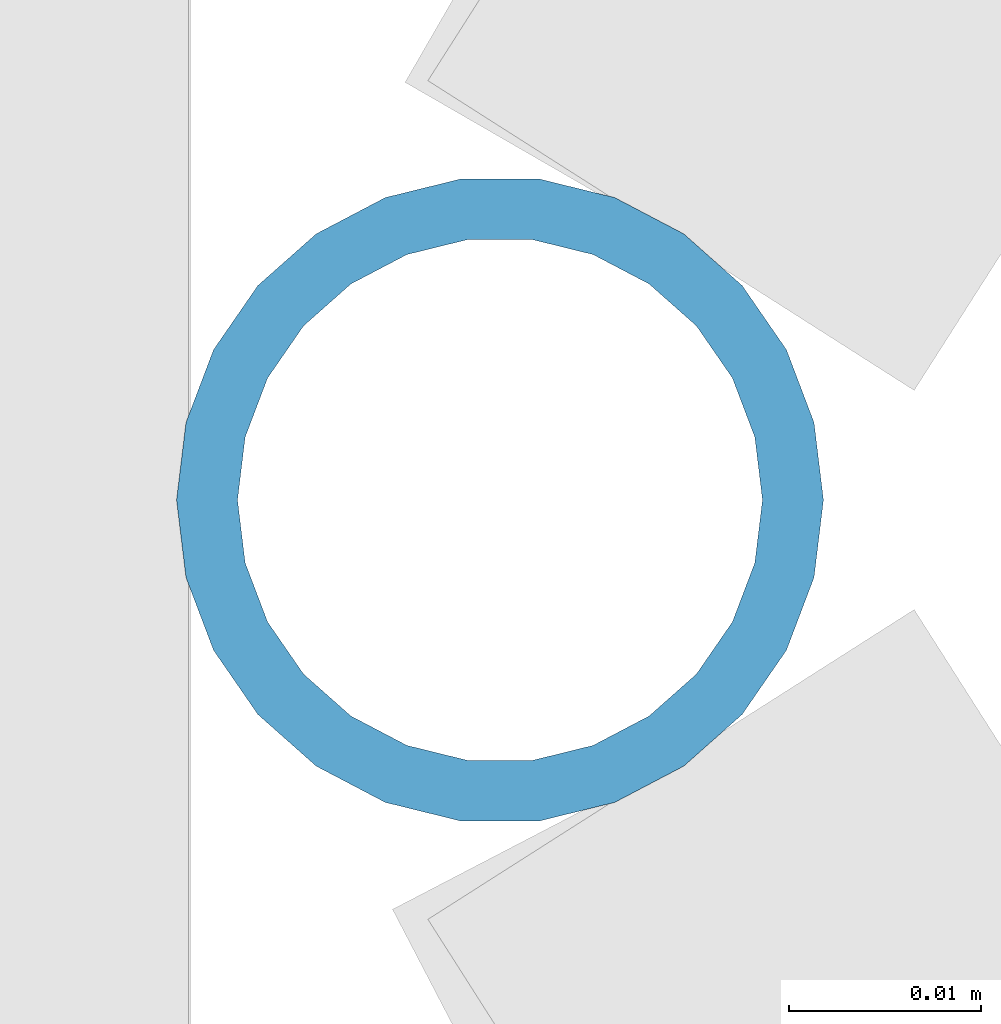
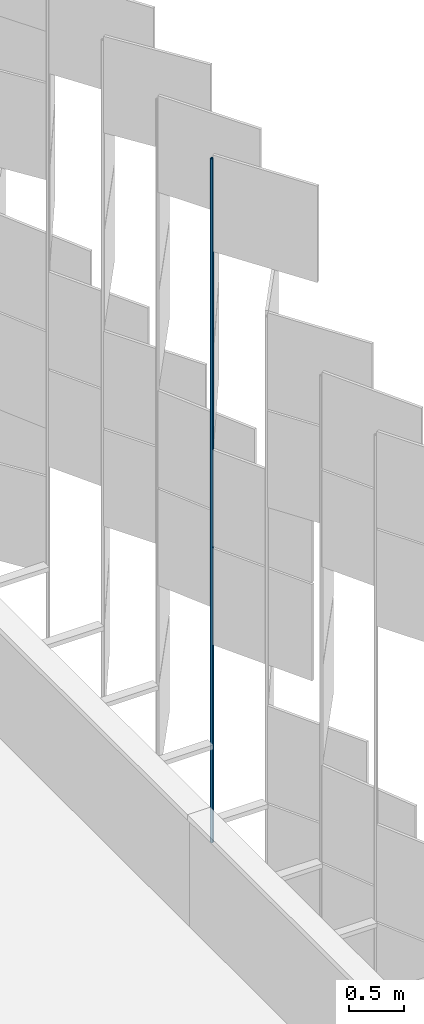
# One storey, part 280 of 483: 1 discrete accessory.
"""IFC4 building model written with IfcOpenShell, lengths in metres."""

from ifc_helpers import new_model, si_unit, direction, frame, origin, origin_2d, place, context, subcontext, project, spatial, hollow_circle, extrude, material, material_profile, profile_set, type_object, element, save


model = new_model("IFC4")

# Units and contexts
model_context = context("Model", 3, precision=1e-05, world=origin(), true_north=direction((0.0, 1.0)))
body_context = subcontext(model_context, "Body", "Model", "MODEL_VIEW")
ifc_project = project(units=[si_unit("LENGTHUNIT", "METRE"), si_unit("AREAUNIT", "SQUARE_METRE"), si_unit("VOLUMEUNIT", "CUBIC_METRE"), si_unit("PLANEANGLEUNIT", "RADIAN"), si_unit("MASSUNIT", "GRAM", prefix="KILO")], contexts=[model_context])

# Site, building, storey
site_placement = place(None, origin())
site = spatial("IfcSite", under=ifc_project, at=site_placement, CompositionType="ELEMENT")
building_placement = place(site_placement, origin())
building = spatial("IfcBuilding", under=site, at=building_placement, Name="Parallax Yard Mobility Hub", CompositionType="ELEMENT")
storey_placement = place(building_placement, frame((0.0, 0.0, 13.199951171875)))
storey = spatial("IfcBuildingStorey", under=building, at=storey_placement, Name="L04", CompositionType="ELEMENT", Elevation=13.199951171875)

# Discrete accessory
ifc_material = material(Name="Steel ASTM A500 Gr C, hot-dip galvanised", Category="steel")
ifc_material_profile = material_profile(ifc_material, hollow_circle(Radius=0.016845703125, WallThickness=0.003173828125, at=origin_2d()), Name="CHS 33.7x3.2")
ifc_profile_set = profile_set([ifc_material_profile], Name="Steel ASTM A500 Gr C, hot-dip galvanised")
discrete_accessory_type = type_object("IfcDiscreteAccessoryType", Name="Hinge post CHS 33.7x3.2", PredefinedType="BRACKET", material=ifc_profile_set)
discrete_accessory_placement = place(storey_placement, frame((225.611328125, 83.572021484375, 0.0), z_axis=(0.0, 0.0, 1.0), x_axis=(1.0, 0.0, 0.0)))
element("IfcDiscreteAccessory", 1, at=discrete_accessory_placement, inside=storey, type_object=discrete_accessory_type, Name="Hinge post bay 40.2 level L04", PredefinedType="BRACKET", context=body_context, shape_type="SweptSolid", body=[
    extrude(hollow_circle(Radius=0.016845703125, WallThickness=0.003173828125, at=origin_2d()), origin(), (0.0, 0.0, 1.0), 7.650146484375),
])

save(model, "model.ifc")
